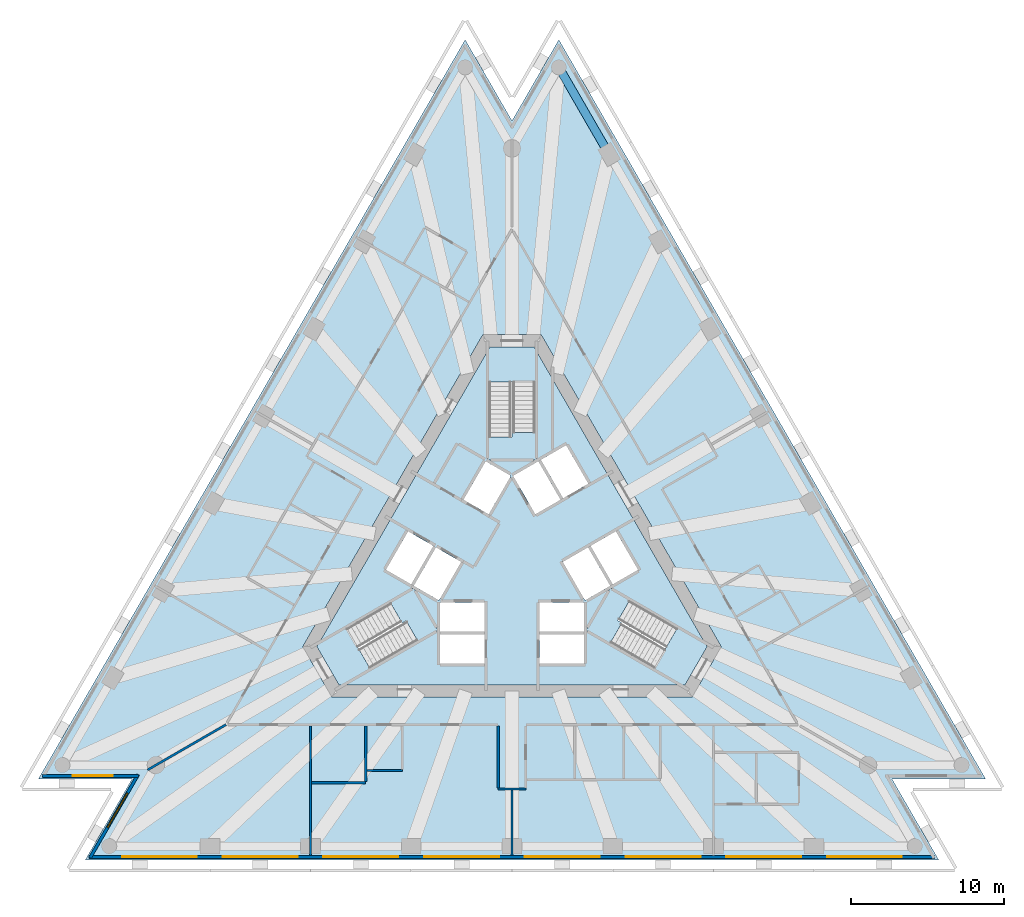
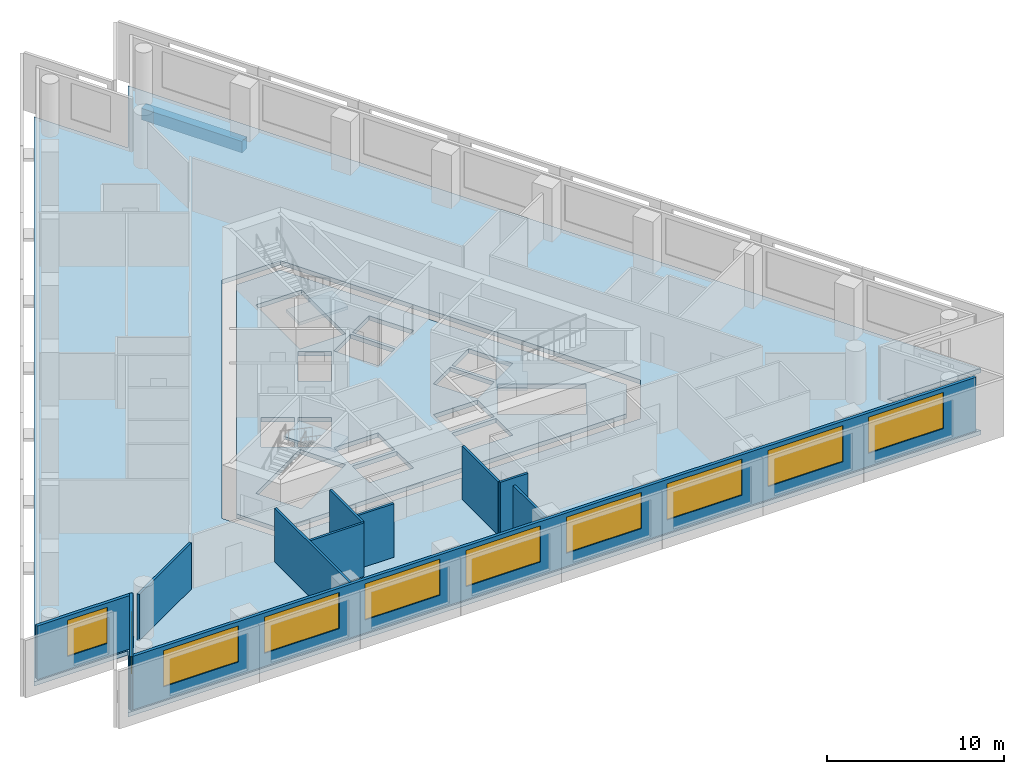
# One storey, part 2 of 10: 11 walls, 10 windows, 5 slabs, 1 beam, 10 openings, 3 elements without a shape of their own.
"""IFC4 building model written with IfcOpenShell, lengths in metres."""

import ifcopenshell
import ifcopenshell.guid

model = None  # the IFC model being written
_history = None  # IfcOwnerHistory: only IFC2X3 demands one
_inside = {}  # id of a spatial element -> (the spatial element, [elements in it])
_under = {}  # id of a project, library or spatial element -> (it, [spatial elements below it])
_declared = {}  # id of a project -> (the project, [libraries it declares])
_typed = {}  # id of a type object -> (the type object, [elements of that type])
_made_of = {}  # id of a material, layer set ... -> (it, [elements and type objects made of it])


def new_model(schema):
    """Start an empty IFC model of exactly this schema.

    Asked for "IFC4X3", IfcOpenShell would pick the latest addendum, in which some entities
    have other attributes; the version numbers below select the first issue.
    IFC2X3 requires an IfcOwnerHistory on every rooted entity: one is made here for all.
    """
    global model, _history
    if schema == "IFC4X3":
        model = ifcopenshell.file(schema_version=(4, 3, 0, 0))
    else:
        model = ifcopenshell.file(schema=schema)
    _inside.clear()
    _under.clear()
    _declared.clear()
    _typed.clear()
    _made_of.clear()
    _history = None
    if model.schema == "IFC2X3":
        org = make("IfcOrganization", Name="unknown")
        user = make(
            "IfcPersonAndOrganization",
            ThePerson=make("IfcPerson", FamilyName="unknown"),
            TheOrganization=org,
        )
        app = make(
            "IfcApplication",
            ApplicationDeveloper=org,
            Version="unknown",
            ApplicationFullName="unknown",
            ApplicationIdentifier="unknown",
        )
        _history = make(
            "IfcOwnerHistory",
            OwningUser=user,
            OwningApplication=app,
            ChangeAction="ADDED",
            CreationDate=0,
        )
    return model


def make(cls, **values):
    """One entity of the class cls with the attributes given. An attribute that is None is left unset."""
    return model.create_entity(
        cls, **{name: value for name, value in values.items() if value is not None}
    )


def rooted(cls, **values):
    """An entity with a GlobalId (a new one), such as an element, a storey or a relation."""
    return make(cls, GlobalId=ifcopenshell.guid.new(), OwnerHistory=_history, **values)


def si_unit(unit_type, name, prefix=None):
    """IfcSIUnit, for example si_unit("LENGTHUNIT", "METRE", prefix="MILLI")."""
    return make("IfcSIUnit", UnitType=unit_type, Prefix=prefix, Name=name)


def assignment(units):
    """IfcUnitAssignment: the units of a project."""
    return None if units is None else make("IfcUnitAssignment", Units=units)


def point(xyz):
    """IfcCartesianPoint."""
    return None if xyz is None else make("IfcCartesianPoint", Coordinates=xyz)


def direction(xyz):
    """IfcDirection."""
    return None if xyz is None else make("IfcDirection", DirectionRatios=xyz)


def frame(location, z_axis=None, x_axis=None):
    """IfcAxis2Placement3D, a coordinate frame: its origin and axes. An axis left out is left unset."""
    return make(
        "IfcAxis2Placement3D",
        Location=point(location),
        Axis=direction(z_axis),
        RefDirection=direction(x_axis),
    )


def frame_2d(location, x_axis=None):
    """IfcAxis2Placement2D, a coordinate frame in the plane: its origin and x axis."""
    return make(
        "IfcAxis2Placement2D", Location=point(location), RefDirection=direction(x_axis)
    )


def origin():
    """The frame at (0, 0, 0) with its axes left unset."""
    return frame((0.0, 0.0, 0.0))


def origin_2d():
    """The frame at (0, 0) in the plane with its x axis left unset."""
    return frame_2d((0.0, 0.0))


def place(relative_to, where):
    """IfcLocalPlacement: puts the frame where relative to a parent placement (None: the world)."""
    return make(
        "IfcLocalPlacement", PlacementRelTo=relative_to, RelativePlacement=where
    )


def context(
    kind, dimensions, precision=None, world=None, true_north=None, identifier=None
):
    """IfcGeometricRepresentationContext, for example the 3D "Model" context."""
    return make(
        "IfcGeometricRepresentationContext",
        ContextIdentifier=identifier,
        ContextType=kind,
        CoordinateSpaceDimension=dimensions,
        Precision=precision,
        WorldCoordinateSystem=world,
        TrueNorth=true_north,
    )


def subcontext(parent, identifier, kind, view, scale=None):
    """IfcGeometricRepresentationSubContext, for example "Body" below "Model"."""
    return make(
        "IfcGeometricRepresentationSubContext",
        ContextIdentifier=identifier,
        ContextType=kind,
        ParentContext=parent,
        TargetScale=scale,
        TargetView=view,
    )


def project(units=None, contexts=None):
    """IfcProject with its units and contexts."""
    return rooted(
        "IfcProject",
        Name="project",
        RepresentationContexts=contexts,
        UnitsInContext=assignment(units),
    )


def spatial(cls, under=None, at=None, **own):
    """A site, building, storey or space (cls), placed at a placement, below another one or the project."""
    s = rooted(cls, ObjectPlacement=at, **own)
    if under is not None:
        _under.setdefault(under.id(), (under, []))[1].append(s)
    return s


def polyline(points):
    """IfcPolyline through the points."""
    return make("IfcPolyline", Points=[point(p) for p in points])


def profile(cls, at=None, kind="AREA", **sizes):
    """A parametric profile (cls). Its sizes go by their IFC names, for example OverallWidth=200.0."""
    return make(cls, ProfileType=kind, Position=at, **sizes)


def rectangle(**sizes):
    """IfcRectangleProfileDef."""
    return profile("IfcRectangleProfileDef", **sizes)


def outline(outer, holes=None, kind="AREA"):
    """IfcArbitraryClosedProfileDef: a profile drawn as a closed curve; with holes, ...WithVoids."""
    if holes is None:
        return make("IfcArbitraryClosedProfileDef", ProfileType=kind, OuterCurve=outer)
    return make(
        "IfcArbitraryProfileDefWithVoids",
        ProfileType=kind,
        OuterCurve=outer,
        InnerCurves=holes,
    )


def extrude(swept, where, along, depth):
    """IfcExtrudedAreaSolid: the profile swept, set in the frame where, extruded along a direction by depth."""
    return make(
        "IfcExtrudedAreaSolid",
        SweptArea=swept,
        Position=where,
        ExtrudedDirection=direction(along),
        Depth=depth,
    )


def shape(context_of_items, identifier, shape_type, items):
    """IfcShapeRepresentation: the items that make up one representation, for example the "Body"."""
    return make(
        "IfcShapeRepresentation",
        ContextOfItems=context_of_items,
        RepresentationIdentifier=identifier,
        RepresentationType=shape_type,
        Items=items,
    )


def material(Name=None, Category=None):
    """IfcMaterial."""
    return make("IfcMaterial", Name=Name, Category=Category)


def layer(
    of_material, thickness, ventilated=None, Name=None, Category=None, Priority=None
):
    """IfcMaterialLayer: one layer of a wall or slab, of a material (None: an air gap)."""
    return make(
        "IfcMaterialLayer",
        Material=of_material,
        LayerThickness=thickness,
        IsVentilated=ventilated,
        Name=Name,
        Category=Category,
        Priority=Priority,
    )


def layer_set(layers, Name=None):
    """IfcMaterialLayerSet."""
    return make("IfcMaterialLayerSet", MaterialLayers=layers, LayerSetName=Name)


def layer_usage(for_layer_set, set_direction, sense, offset, extent=None):
    """IfcMaterialLayerSetUsage: how a layer set lies in its element."""
    return make(
        "IfcMaterialLayerSetUsage",
        ForLayerSet=for_layer_set,
        LayerSetDirection=set_direction,
        DirectionSense=sense,
        OffsetFromReferenceLine=offset,
        ReferenceExtent=extent,
    )


def material_profile(
    of_material, cross_section, Name=None, Category=None, Priority=None
):
    """IfcMaterialProfile: a cross section and its material."""
    return make(
        "IfcMaterialProfile",
        Name=Name,
        Material=of_material,
        Profile=cross_section,
        Priority=Priority,
        Category=Category,
    )


def profile_set(profiles, Name=None, composite=None):
    """IfcMaterialProfileSet."""
    return make(
        "IfcMaterialProfileSet",
        Name=Name,
        MaterialProfiles=profiles,
        CompositeProfile=composite,
    )


def made_of(thing, what):
    """Note that an element or type object is made of a material, layer set ...; save() writes the relation."""
    if what is not None:
        _made_of.setdefault(what.id(), (what, []))[1].append(thing)
    return thing


def type_object(cls, material=None, **own):
    """A type object (cls), such as IfcWallType, which elements share."""
    return made_of(rooted(cls, **own), material)


def element(
    cls,
    number,
    at=None,
    inside=None,
    cuts=None,
    type_object=None,
    material=None,
    context=None,
    identifier="Body",
    shape_type=None,
    held_by="IfcProductDefinitionShape",
    body=None,
    shapes=None,
    **own,
):
    """One element of the class cls, such as IfcWall. Its Tag is "e" and its number.

    at: its placement. inside: the storey or other place that contains it. cuts: it is an
    opening in that element (IfcRelVoidsElement). A single representation is given by context,
    identifier, shape_type and body (its items); several are given by shapes. held_by: the class
    of the entity that holds the representations. save() writes the other relations.
    """
    e = rooted(cls, Tag="e%d" % number, ObjectPlacement=at, **own)
    if body is not None:
        shapes = [shape(context, identifier, shape_type, body)]
    if shapes is not None:
        e.Representation = make(held_by, Representations=shapes)
    if inside is not None:
        _inside.setdefault(inside.id(), (inside, []))[1].append(e)
    if cuts is not None:
        rooted(
            "IfcRelVoidsElement", RelatingBuildingElement=cuts, RelatedOpeningElement=e
        )
    if type_object is not None:
        _typed.setdefault(type_object.id(), (type_object, []))[1].append(e)
    return made_of(e, material)


def fill(opening, filler):
    """IfcRelFillsElement: the door or window that sits in an opening."""
    return rooted(
        "IfcRelFillsElement",
        RelatingOpeningElement=opening,
        RelatedBuildingElement=filler,
    )


def aggregate(whole, parts):
    """IfcRelAggregates: a whole, such as a stair, and the parts it consists of."""
    return rooted("IfcRelAggregates", RelatingObject=whole, RelatedObjects=parts)


def save(model, path):
    """Write the relations noted so far, then the file.

    IfcRelAggregates (storeys below a building ...), IfcRelContainedInSpatialStructure (elements
    in a storey), IfcRelDefinesByType, IfcRelAssociatesMaterial and IfcRelDeclares: one each for
    every whole, place, type object, material and project.
    """
    for whole, parts in _under.values():
        aggregate(whole, parts)
    for where, things in _inside.values():
        rooted(
            "IfcRelContainedInSpatialStructure",
            RelatedElements=things,
            RelatingStructure=where,
        )
    for kind, things in _typed.values():
        rooted("IfcRelDefinesByType", RelatedObjects=things, RelatingType=kind)
    for what, things in _made_of.values():
        rooted("IfcRelAssociatesMaterial", RelatedObjects=things, RelatingMaterial=what)
    for by, libraries in _declared.values():
        rooted("IfcRelDeclares", RelatingContext=by, RelatedDefinitions=libraries)
    model.write(path)


model = new_model("IFC4")

# Units and contexts
model_context = context("Model", 3, precision=1e-05, world=origin(), true_north=direction((0.0, 1.0)))
body_context = subcontext(model_context, "Body", "Model", "MODEL_VIEW")
ifc_project = project(units=[si_unit("LENGTHUNIT", "METRE"), si_unit("AREAUNIT", "SQUARE_METRE"), si_unit("VOLUMEUNIT", "CUBIC_METRE"), si_unit("PLANEANGLEUNIT", "RADIAN"), si_unit("MASSUNIT", "GRAM", prefix="KILO")], contexts=[model_context])

# Site, building, storey
site_placement = place(None, origin())
site = spatial("IfcSite", under=ifc_project, at=site_placement, CompositionType="ELEMENT")
building_placement = place(site_placement, origin())
building = spatial("IfcBuilding", under=site, at=building_placement, Name="Triada Interchange Tower", CompositionType="ELEMENT")
storey_placement = place(building_placement, frame((0.0, 0.0, 160.300048828125)))
storey = spatial("IfcBuildingStorey", under=building, at=storey_placement, Name="L37", CompositionType="ELEMENT", Elevation=160.300048828125)

# Beam
ifc_material_1 = material(Name="Concrete C50/60", Category="concrete")
ifc_material_profile = material_profile(ifc_material_1, rectangle(XDim=0.550048828125, YDim=0.800048828125, at=origin_2d()), Name="RC 550x800")
ifc_profile_set = profile_set([ifc_material_profile], Name="Concrete C50/60")
beam_type = type_object("IfcBeamType", Name="Spandrel beam B RC 550x800", PredefinedType="BEAM", material=ifc_profile_set)
beam_placement = place(storey_placement, frame((6.35595703125, 26.48388671875, -0.699951171875), z_axis=(-0.499966313909, 0.866044851585, 0.0), x_axis=(-0.866044851585, -0.499966313909, 0.0)))
element("IfcBeam", 1, at=beam_placement, inside=storey, type_object=beam_type, Name="Spandrel beam EB28 L37", PredefinedType="BEAM", context=body_context, shape_type="SweptSolid", body=[
    extrude(rectangle(XDim=0.550048828125, YDim=0.800048828125, at=origin_2d()), origin(), (0.0, 0.0, 1.0), 6.58642578125),
])

# Slabs
ifc_layer_1 = layer(ifc_material_1, 0.300048828125)
ifc_layer_set_1 = layer_set([ifc_layer_1], Name="Floor slab 300")
slab_type_1 = type_object("IfcSlabType", Name="Floor slab 300", PredefinedType="FLOOR", material=ifc_layer_set_1)
slab_1_placement = place(storey_placement, frame((0.0, 0.0, -0.300048828125)))
element("IfcSlab", 2, at=slab_1_placement, inside=storey, type_object=slab_type_1, Name="Floor slab L37", PredefinedType="FLOOR", context=body_context, shape_type="SweptSolid", body=[
    extrude(outline(polyline([(-3.06298828125, 33.988037109375), (-30.965087890625, -14.342041015625), (-24.840087890625, -14.342041015625), (-27.903076171875, -19.64599609375), (27.903076171875, -19.64599609375), (24.840087890625, -14.342041015625), (30.965087890625, -14.342041015625), (3.06298828125, 33.988037109375), (0.0, 28.68310546875), (-3.06298828125, 33.988037109375)]), holes=[polyline([(1.905029296875, 14.699951171875), (-1.905029296875, 14.699951171875), (-13.68310546875, -5.699951171875), (-11.778076171875, -9.0), (11.778076171875, -9.0), (13.68310546875, -5.699951171875), (1.905029296875, 14.699951171875)])]), origin(), (0.0, 0.0, 1.0), 0.300048828125),
])
slab_2_placement = place(storey_placement, frame((0.0, 0.0, -0.300048828125)))
element("IfcSlab", 3, at=slab_2_placement, inside=storey, type_object=slab_type_1, Name="Core floor slab L37 1", PredefinedType="FLOOR", context=body_context, shape_type="SweptSolid", body=[
    extrude(outline(polyline([(12.759033203125, -5.699951171875), (11.31591796875, -8.199951171875), (-11.31591796875, -8.199951171875), (-12.759033203125, -5.699951171875), (-1.443115234375, 13.89990234375), (1.443115234375, 13.89990234375), (12.759033203125, -5.699951171875)]), holes=[polyline([(9.2958984375, -7.09912109375), (10.7958984375, -4.5009765625), (6.466064453125, -2.0009765625), (4.966064453125, -4.59912109375), (9.2958984375, -7.09912109375)]), polyline([(6.7890625, 1.841064453125), (5.14404296875, 0.89111328125), (6.593994140625, -1.6201171875), (8.239013671875, -0.669921875), (6.7890625, 1.841064453125)]), polyline([(4.77490234375, -2.669921875), (6.419921875, -1.719970703125), (4.969970703125, 0.791015625), (3.9150390625, 0.181884765625), (3.324951171875, -0.158935546875), (4.77490234375, -2.669921875)]), polyline([(1.89404296875, 6.52001953125), (3.343994140625, 4.009033203125), (4.989013671875, 4.958984375), (3.5390625, 7.469970703125), (1.89404296875, 6.52001953125)]), polyline([(4.699951171875, -6.800048828125), (4.699951171875, -4.89990234375), (1.800048828125, -4.89990234375), (1.800048828125, -6.800048828125), (4.699951171875, -6.800048828125)]), polyline([(4.699951171875, -2.800048828125), (1.800048828125, -2.800048828125), (1.800048828125, -4.699951171875), (4.699951171875, -4.699951171875), (4.699951171875, -2.800048828125)]), polyline([(0.074951171875, 5.469970703125), (1.52490234375, 2.958984375), (3.169921875, 3.908935546875), (1.719970703125, 6.419921875), (0.074951171875, 5.469970703125)]), polyline([(1.5, 11.60009765625), (-1.5, 11.60009765625), (-1.5, 6.60009765625), (1.5, 6.60009765625), (1.5, 11.60009765625)]), polyline([(-1.52490234375, 2.958984375), (-0.074951171875, 5.469970703125), (-1.719970703125, 6.419921875), (-3.169921875, 3.908935546875), (-1.52490234375, 2.958984375)]), polyline([(-1.800048828125, -2.800048828125), (-4.699951171875, -2.800048828125), (-4.699951171875, -4.699951171875), (-1.800048828125, -4.699951171875), (-1.800048828125, -2.800048828125)]), polyline([(-4.699951171875, -6.800048828125), (-1.800048828125, -6.800048828125), (-1.800048828125, -4.89990234375), (-4.699951171875, -4.89990234375), (-4.699951171875, -6.800048828125)]), polyline([(-4.77490234375, -2.669921875), (-3.324951171875, -0.158935546875), (-4.969970703125, 0.791015625), (-6.419921875, -1.719970703125), (-4.77490234375, -2.669921875)]), polyline([(-10.7958984375, -4.5009765625), (-9.2958984375, -7.09912109375), (-4.966064453125, -4.59912109375), (-6.466064453125, -2.0009765625), (-10.7958984375, -4.5009765625)]), polyline([(-6.593994140625, -1.6201171875), (-5.14404296875, 0.89111328125), (-6.7890625, 1.841064453125), (-8.239013671875, -0.669921875), (-6.593994140625, -1.6201171875)])]), origin(), (0.0, 0.0, 1.0), 0.300048828125),
])

# Stair, slab
ifc_material_2 = material(Name="Concrete C35/45", Category="concrete")
stair_type = type_object("IfcStairType", Name="HALF TURN STAIR 1400", PredefinedType="HALF_TURN_STAIR", material=ifc_material_2)
stair_1_placement = place(storey_placement, origin())
stair_1 = element("IfcStair", 4, at=stair_1_placement, inside=storey, type_object=stair_type, Name="Exit stair S35-1", PredefinedType="HALF_TURN_STAIR")
ifc_layer_2 = layer(ifc_material_2, 0.199951171875)
ifc_layer_set_2 = layer_set([ifc_layer_2], Name="STAIR LANDING 200")
slab_type_2 = type_object("IfcSlabType", Name="STAIR LANDING 200", PredefinedType="LANDING", material=ifc_layer_set_2)
slab_3_placement = place(storey_placement, frame((0.0, 0.0, 1.719970703125)))
slab_3 = element("IfcSlab", 5, at=slab_3_placement, type_object=slab_type_2, Name="S35-1 landing 1", PredefinedType="LANDING", context=body_context, shape_type="SweptSolid", body=[
    extrude(outline(polyline([(1.60009765625, 6.5), (1.60009765625, 8.300048828125), (0.0, 8.300048828125), (0.0, 8.0), (-1.60009765625, 8.0), (-1.60009765625, 6.5), (1.60009765625, 6.5)])), origin(), (0.0, 0.0, 1.0), 0.199951171875),
])
aggregate(stair_1, [slab_3])

stair_2_placement = place(storey_placement, origin())
stair_2 = element("IfcStair", 6, at=stair_2_placement, inside=storey, type_object=stair_type, Name="Exit stair S35-2", PredefinedType="HALF_TURN_STAIR")
slab_4_placement = place(storey_placement, frame((0.0, 0.0, 1.719970703125)))
slab_4 = element("IfcSlab", 7, at=slab_4_placement, type_object=slab_type_2, Name="S35-2 landing 1", PredefinedType="LANDING", context=body_context, shape_type="SweptSolid", body=[
    extrude(outline(polyline([(-6.428955078125, -1.864013671875), (-7.988037109375, -2.763916015625), (-7.18798828125, -4.14990234375), (-6.927978515625, -4.0), (-6.1279296875, -5.385986328125), (-4.8291015625, -4.635986328125), (-6.428955078125, -1.864013671875)])), origin(), (0.0, 0.0, 1.0), 0.199951171875),
])
aggregate(stair_2, [slab_4])

stair_3_placement = place(storey_placement, origin())
stair_3 = element("IfcStair", 8, at=stair_3_placement, inside=storey, type_object=stair_type, Name="Exit stair S35-3", PredefinedType="HALF_TURN_STAIR")
slab_5_placement = place(storey_placement, frame((0.0, 0.0, 1.719970703125)))
slab_5 = element("IfcSlab", 9, at=slab_5_placement, type_object=slab_type_2, Name="S35-3 landing 1", PredefinedType="LANDING", context=body_context, shape_type="SweptSolid", body=[
    extrude(outline(polyline([(4.8291015625, -4.635986328125), (6.387939453125, -5.535888671875), (7.18798828125, -4.14990234375), (6.927978515625, -4.0), (7.72802734375, -2.614013671875), (6.428955078125, -1.864013671875), (4.8291015625, -4.635986328125)])), origin(), (0.0, 0.0, 1.0), 0.199951171875),
])
aggregate(stair_3, [slab_5])

# Wall, opening, window
ifc_material_3 = material(Name="Cement board")
ifc_layer_3 = layer(ifc_material_3, 0.02001953125, Name="Cement board cladding")
ifc_material_4 = material(Name="Sheathing board")
ifc_layer_4 = layer(ifc_material_4, 0.014892578125, Name="Sheathing board")
ifc_material_5 = material(Name="Mineral wool")
ifc_layer_5 = layer(ifc_material_5, 0.14990234375, Name="Mineral wool between steel studs")
ifc_material_6 = material(Name="Gypsum board")
ifc_layer_6 = layer(ifc_material_6, 0.014892578125, Name="Plasterboard lining")
ifc_layer_set_3 = layer_set([ifc_layer_3, ifc_layer_4, ifc_layer_5, ifc_layer_6], Name="External wall 200")
ifc_layer_usage = layer_usage(ifc_layer_set_3, "AXIS2", "POSITIVE", -0.10009765625)
wall_type_1 = type_object("IfcWallType", Name="External wall 200", PredefinedType="ELEMENTEDWALL", material=ifc_layer_set_3)
wall_1_placement = place(storey_placement, frame((-30.708984375, -14.14208984375, 0.0), z_axis=(0.0, 0.0, 1.0), x_axis=(1.0, 0.0, 0.0)))
wall_1 = element("IfcWall", 10, at=wall_1_placement, inside=storey, type_object=wall_type_1, material=ifc_layer_usage, Name="External wall L37 SW-1", PredefinedType="ELEMENTEDWALL", context=body_context, shape_type="SweptSolid", body=[
    extrude(rectangle(XDim=6.284912109375, YDim=0.199951171875, at=frame_2d((3.142578125, 0.0))), origin(), (0.0, 0.0, 1.0), 3.699951171875),
])
opening_1_placement = place(wall_1_placement, frame((1.989990234375, 0.0, 0.89990234375)))
opening_1 = element("IfcOpeningElement", 11, at=opening_1_placement, cuts=wall_1, Name="Opening WB09", PredefinedType="OPENING", context=body_context, shape_type="SweptSolid", body=[
    extrude(rectangle(XDim=2.60009765625, YDim=2.5, at=frame_2d((1.300048828125, 1.25))), frame((0.0, 0.10986328125, 0.0), z_axis=(0.0, -1.0, 0.0), x_axis=(1.0, 0.0, 0.0)), (0.0, 0.0, 1.0), 0.219970703125),
])
ifc_material_7 = material(Name="Double glazed aluminium window", Category="aluminium")
window_type_1 = type_object("IfcWindowType", Name="Ribbon window B pocket", PartitioningType="SINGLE_PANEL", PredefinedType="WINDOW", material=ifc_material_7)
window_1_placement = place(opening_1_placement, origin())
window_1 = element("IfcWindow", 12, at=window_1_placement, inside=storey, type_object=window_type_1, Name="Window L37 SW-1 1", OverallHeight=2.5, OverallWidth=2.60009765625, PartitioningType="SINGLE_PANEL", PredefinedType="WINDOW", context=body_context, shape_type="SweptSolid", body=[
    extrude(rectangle(XDim=2.60009765625, YDim=2.5, at=frame_2d((1.300048828125, 1.25))), frame((0.0, 0.030029296875, 0.0), z_axis=(0.0, -1.0, 0.0), x_axis=(1.0, 0.0, 0.0)), (0.0, 0.0, 1.0), 0.06005859375),
])
fill(opening_1, window_1)

wall_2_placement = place(storey_placement, frame((-24.448974609375, -14.06396484375, 0.0), z_axis=(0.0, 0.0, 1.0), x_axis=(-0.500057556061, -0.865992171227, 0.0)))
wall_2 = element("IfcWall", 13, at=wall_2_placement, inside=storey, type_object=wall_type_1, material=ifc_layer_usage, Name="External wall L37 SW-2", PredefinedType="ELEMENTEDWALL", context=body_context, shape_type="SweptSolid", body=[
    extrude(rectangle(XDim=6.285400390625, YDim=0.199951171875, at=frame_2d((3.142578125, 0.0))), origin(), (0.0, 0.0, 1.0), 3.699951171875),
])
opening_2_placement = place(wall_2_placement, frame((1.389892578125, 0.0, 0.89990234375)))
opening_2 = element("IfcOpeningElement", 14, at=opening_2_placement, cuts=wall_2, Name="Opening WB10", PredefinedType="OPENING", context=body_context, shape_type="SweptSolid", body=[
    extrude(rectangle(XDim=2.60009765625, YDim=2.5, at=frame_2d((1.300048828125, 1.25))), frame((0.0, 0.10986328125, 0.0), z_axis=(0.0, -1.0, 0.0), x_axis=(1.0, 0.0, 0.0)), (0.0, 0.0, 1.0), 0.219970703125),
])
window_2_placement = place(opening_2_placement, origin())
window_2 = element("IfcWindow", 15, at=window_2_placement, inside=storey, type_object=window_type_1, Name="Window L37 SW-2 1", OverallHeight=2.5, OverallWidth=2.60009765625, PartitioningType="SINGLE_PANEL", PredefinedType="WINDOW", context=body_context, shape_type="SweptSolid", body=[
    extrude(rectangle(XDim=2.60009765625, YDim=2.5, at=frame_2d((1.300048828125, 1.25))), frame((0.0, 0.030029296875, 0.0), z_axis=(0.0, -1.0, 0.0), x_axis=(1.0, 0.0, 0.0)), (0.0, 0.0, 1.0), 0.06005859375),
])
fill(opening_2, window_2)

# Wall, openings, windows
wall_3_placement = place(storey_placement, frame((-27.64697265625, -19.446044921875, 0.0), z_axis=(0.0, 0.0, 1.0), x_axis=(1.0, 0.0, 0.0)))
wall_3 = element("IfcWall", 16, at=wall_3_placement, inside=storey, type_object=wall_type_1, material=ifc_layer_usage, Name="External wall L37 S", PredefinedType="ELEMENTEDWALL", context=body_context, shape_type="SweptSolid", body=[
    extrude(rectangle(XDim=55.27392578125, YDim=0.199951171875, at=frame_2d((27.636962890625, 0.0))), origin(), (0.0, 0.0, 1.0), 3.699951171875),
])
opening_3_placement = place(wall_3_placement, frame((2.14599609375, 0.0, 0.89990234375)))
opening_3 = element("IfcOpeningElement", 17, at=opening_3_placement, cuts=wall_3, Name="Opening WB11", PredefinedType="OPENING", context=body_context, shape_type="SweptSolid", body=[
    extrude(rectangle(XDim=4.89990234375, YDim=2.5, at=frame_2d((2.449951171875, 1.25))), frame((0.0, 0.10986328125, 0.0), z_axis=(0.0, -1.0, 0.0), x_axis=(1.0, 0.0, 0.0)), (0.0, 0.0, 1.0), 0.219970703125),
])
opening_4_placement = place(wall_3_placement, frame((8.73193359375, 0.0, 0.89990234375)))
opening_4 = element("IfcOpeningElement", 18, at=opening_4_placement, cuts=wall_3, Name="Opening WB12", PredefinedType="OPENING", context=body_context, shape_type="SweptSolid", body=[
    extrude(rectangle(XDim=4.89990234375, YDim=2.5, at=frame_2d((2.449951171875, 1.25))), frame((0.0, 0.10986328125, 0.0), z_axis=(0.0, -1.0, 0.0), x_axis=(1.0, 0.0, 0.0)), (0.0, 0.0, 1.0), 0.219970703125),
])
opening_5_placement = place(wall_3_placement, frame((15.318115234375, 0.0, 0.89990234375)))
opening_5 = element("IfcOpeningElement", 19, at=opening_5_placement, cuts=wall_3, Name="Opening WB13", PredefinedType="OPENING", context=body_context, shape_type="SweptSolid", body=[
    extrude(rectangle(XDim=4.89990234375, YDim=2.5, at=frame_2d((2.449951171875, 1.25))), frame((0.0, 0.10986328125, 0.0), z_axis=(0.0, -1.0, 0.0), x_axis=(1.0, 0.0, 0.0)), (0.0, 0.0, 1.0), 0.219970703125),
])
opening_6_placement = place(wall_3_placement, frame((21.904052734375, 0.0, 0.89990234375)))
opening_6 = element("IfcOpeningElement", 20, at=opening_6_placement, cuts=wall_3, Name="Opening WB14", PredefinedType="OPENING", context=body_context, shape_type="SweptSolid", body=[
    extrude(rectangle(XDim=4.89990234375, YDim=2.5, at=frame_2d((2.449951171875, 1.25))), frame((0.0, 0.10986328125, 0.0), z_axis=(0.0, -1.0, 0.0), x_axis=(1.0, 0.0, 0.0)), (0.0, 0.0, 1.0), 0.219970703125),
])
opening_7_placement = place(wall_3_placement, frame((28.489990234375, 0.0, 0.89990234375)))
opening_7 = element("IfcOpeningElement", 21, at=opening_7_placement, cuts=wall_3, Name="Opening WB15", PredefinedType="OPENING", context=body_context, shape_type="SweptSolid", body=[
    extrude(rectangle(XDim=4.89990234375, YDim=2.5, at=frame_2d((2.449951171875, 1.25))), frame((0.0, 0.10986328125, 0.0), z_axis=(0.0, -1.0, 0.0), x_axis=(1.0, 0.0, 0.0)), (0.0, 0.0, 1.0), 0.219970703125),
])
opening_8_placement = place(wall_3_placement, frame((35.075927734375, 0.0, 0.89990234375)))
opening_8 = element("IfcOpeningElement", 22, at=opening_8_placement, cuts=wall_3, Name="Opening WB16", PredefinedType="OPENING", context=body_context, shape_type="SweptSolid", body=[
    extrude(rectangle(XDim=4.89990234375, YDim=2.5, at=frame_2d((2.449951171875, 1.25))), frame((0.0, 0.10986328125, 0.0), z_axis=(0.0, -1.0, 0.0), x_axis=(1.0, 0.0, 0.0)), (0.0, 0.0, 1.0), 0.219970703125),
])
opening_9_placement = place(wall_3_placement, frame((41.662109375, 0.0, 0.89990234375)))
opening_9 = element("IfcOpeningElement", 23, at=opening_9_placement, cuts=wall_3, Name="Opening WB17", PredefinedType="OPENING", context=body_context, shape_type="SweptSolid", body=[
    extrude(rectangle(XDim=4.89990234375, YDim=2.5, at=frame_2d((2.449951171875, 1.25))), frame((0.0, 0.10986328125, 0.0), z_axis=(0.0, -1.0, 0.0), x_axis=(1.0, 0.0, 0.0)), (0.0, 0.0, 1.0), 0.219970703125),
])
opening_10_placement = place(wall_3_placement, frame((48.248046875, 0.0, 0.89990234375)))
opening_10 = element("IfcOpeningElement", 24, at=opening_10_placement, cuts=wall_3, Name="Opening WB18", PredefinedType="OPENING", context=body_context, shape_type="SweptSolid", body=[
    extrude(rectangle(XDim=4.89990234375, YDim=2.5, at=frame_2d((2.449951171875, 1.25))), frame((0.0, 0.10986328125, 0.0), z_axis=(0.0, -1.0, 0.0), x_axis=(1.0, 0.0, 0.0)), (0.0, 0.0, 1.0), 0.219970703125),
])
window_type_2 = type_object("IfcWindowType", Name="Ribbon window B face", PartitioningType="SINGLE_PANEL", PredefinedType="WINDOW", material=ifc_material_7)
window_3_placement = place(opening_3_placement, origin())
window_3 = element("IfcWindow", 25, at=window_3_placement, inside=storey, type_object=window_type_2, Name="Window L37 S 1", OverallHeight=2.5, OverallWidth=4.89990234375, PartitioningType="SINGLE_PANEL", PredefinedType="WINDOW", context=body_context, shape_type="SweptSolid", body=[
    extrude(rectangle(XDim=4.89990234375, YDim=2.5, at=frame_2d((2.449951171875, 1.25))), frame((0.0, 0.030029296875, 0.0), z_axis=(0.0, -1.0, 0.0), x_axis=(1.0, 0.0, 0.0)), (0.0, 0.0, 1.0), 0.06005859375),
])
fill(opening_3, window_3)
window_4_placement = place(opening_4_placement, origin())
window_4 = element("IfcWindow", 26, at=window_4_placement, inside=storey, type_object=window_type_2, Name="Window L37 S 2", OverallHeight=2.5, OverallWidth=4.89990234375, PartitioningType="SINGLE_PANEL", PredefinedType="WINDOW", context=body_context, shape_type="SweptSolid", body=[
    extrude(rectangle(XDim=4.89990234375, YDim=2.5, at=frame_2d((2.449951171875, 1.25))), frame((0.0, 0.030029296875, 0.0), z_axis=(0.0, -1.0, 0.0), x_axis=(1.0, 0.0, 0.0)), (0.0, 0.0, 1.0), 0.06005859375),
])
fill(opening_4, window_4)
window_5_placement = place(opening_5_placement, origin())
window_5 = element("IfcWindow", 27, at=window_5_placement, inside=storey, type_object=window_type_2, Name="Window L37 S 3", OverallHeight=2.5, OverallWidth=4.89990234375, PartitioningType="SINGLE_PANEL", PredefinedType="WINDOW", context=body_context, shape_type="SweptSolid", body=[
    extrude(rectangle(XDim=4.89990234375, YDim=2.5, at=frame_2d((2.449951171875, 1.25))), frame((0.0, 0.030029296875, 0.0), z_axis=(0.0, -1.0, 0.0), x_axis=(1.0, 0.0, 0.0)), (0.0, 0.0, 1.0), 0.06005859375),
])
fill(opening_5, window_5)
window_6_placement = place(opening_6_placement, origin())
window_6 = element("IfcWindow", 28, at=window_6_placement, inside=storey, type_object=window_type_2, Name="Window L37 S 4", OverallHeight=2.5, OverallWidth=4.89990234375, PartitioningType="SINGLE_PANEL", PredefinedType="WINDOW", context=body_context, shape_type="SweptSolid", body=[
    extrude(rectangle(XDim=4.89990234375, YDim=2.5, at=frame_2d((2.449951171875, 1.25))), frame((0.0, 0.030029296875, 0.0), z_axis=(0.0, -1.0, 0.0), x_axis=(1.0, 0.0, 0.0)), (0.0, 0.0, 1.0), 0.06005859375),
])
fill(opening_6, window_6)
window_7_placement = place(opening_7_placement, origin())
window_7 = element("IfcWindow", 29, at=window_7_placement, inside=storey, type_object=window_type_2, Name="Window L37 S 5", OverallHeight=2.5, OverallWidth=4.89990234375, PartitioningType="SINGLE_PANEL", PredefinedType="WINDOW", context=body_context, shape_type="SweptSolid", body=[
    extrude(rectangle(XDim=4.89990234375, YDim=2.5, at=frame_2d((2.449951171875, 1.25))), frame((0.0, 0.030029296875, 0.0), z_axis=(0.0, -1.0, 0.0), x_axis=(1.0, 0.0, 0.0)), (0.0, 0.0, 1.0), 0.06005859375),
])
fill(opening_7, window_7)
window_8_placement = place(opening_8_placement, origin())
window_8 = element("IfcWindow", 30, at=window_8_placement, inside=storey, type_object=window_type_2, Name="Window L37 S 6", OverallHeight=2.5, OverallWidth=4.89990234375, PartitioningType="SINGLE_PANEL", PredefinedType="WINDOW", context=body_context, shape_type="SweptSolid", body=[
    extrude(rectangle(XDim=4.89990234375, YDim=2.5, at=frame_2d((2.449951171875, 1.25))), frame((0.0, 0.030029296875, 0.0), z_axis=(0.0, -1.0, 0.0), x_axis=(1.0, 0.0, 0.0)), (0.0, 0.0, 1.0), 0.06005859375),
])
fill(opening_8, window_8)
window_9_placement = place(opening_9_placement, origin())
window_9 = element("IfcWindow", 31, at=window_9_placement, inside=storey, type_object=window_type_2, Name="Window L37 S 7", OverallHeight=2.5, OverallWidth=4.89990234375, PartitioningType="SINGLE_PANEL", PredefinedType="WINDOW", context=body_context, shape_type="SweptSolid", body=[
    extrude(rectangle(XDim=4.89990234375, YDim=2.5, at=frame_2d((2.449951171875, 1.25))), frame((0.0, 0.030029296875, 0.0), z_axis=(0.0, -1.0, 0.0), x_axis=(1.0, 0.0, 0.0)), (0.0, 0.0, 1.0), 0.06005859375),
])
fill(opening_9, window_9)
window_10_placement = place(opening_10_placement, origin())
window_10 = element("IfcWindow", 32, at=window_10_placement, inside=storey, type_object=window_type_2, Name="Window L37 S 8", OverallHeight=2.5, OverallWidth=4.89990234375, PartitioningType="SINGLE_PANEL", PredefinedType="WINDOW", context=body_context, shape_type="SweptSolid", body=[
    extrude(rectangle(XDim=4.89990234375, YDim=2.5, at=frame_2d((2.449951171875, 1.25))), frame((0.0, 0.030029296875, 0.0), z_axis=(0.0, -1.0, 0.0), x_axis=(1.0, 0.0, 0.0)), (0.0, 0.0, 1.0), 0.06005859375),
])
fill(opening_10, window_10)

# Walls
ifc_material_8 = material(Name="Gypsum board partition")
ifc_layer_7 = layer(ifc_material_8, 0.14990234375)
ifc_layer_set_4 = layer_set([ifc_layer_7], Name="PARTITION 150 EI 180")
wall_type_2 = type_object("IfcWallType", Name="PARTITION 150 EI 180", PredefinedType="PARTITIONING", material=ifc_layer_set_4)
wall_4_placement = place(storey_placement, frame((-23.818115234375, -13.751953125, 0.0), z_axis=(0.0, 0.0, 1.0), x_axis=(0.8659920435, 0.500057777256, 0.0)))
element("IfcWall", 33, at=wall_4_placement, inside=storey, type_object=wall_type_2, Name="Wall L35 1", PredefinedType="PARTITIONING", context=body_context, shape_type="SweptSolid", body=[
    extrude(rectangle(XDim=5.903076171875, YDim=0.14990234375, at=frame_2d((2.95166015625, 0.0))), origin(), (0.0, 0.0, 1.0), 3.199951171875),
])
wall_5_placement = place(storey_placement, frame((-13.172119140625, -19.365966796875, 0.0), z_axis=(0.0, 0.0, 1.0), x_axis=(0.0, 1.0, 0.0)))
element("IfcWall", 34, at=wall_5_placement, inside=storey, type_object=wall_type_2, Name="Wall L35 14", PredefinedType="PARTITIONING", context=body_context, shape_type="SweptSolid", body=[
    extrude(rectangle(XDim=8.490966796875, YDim=0.14990234375, at=frame_2d((4.24560546875, 0.0))), origin(), (0.0, 0.0, 1.0), 3.699951171875),
])
wall_6_placement = place(storey_placement, frame((-13.096923828125, -14.60009765625, 0.0), z_axis=(0.0, 0.0, 1.0), x_axis=(1.0, 0.0, 0.0)))
element("IfcWall", 35, at=wall_6_placement, inside=storey, type_object=wall_type_2, Name="Wall L35 15", PredefinedType="PARTITIONING", context=body_context, shape_type="SweptSolid", body=[
    extrude(rectangle(XDim=3.52490234375, YDim=0.14990234375, at=frame_2d((1.762451171875, 0.0))), origin(), (0.0, 0.0, 1.0), 3.699951171875),
])
wall_7_placement = place(storey_placement, frame((-9.572021484375, -14.52490234375, 0.0), z_axis=(0.0, 0.0, 1.0), x_axis=(0.0, 1.0, 0.0)))
element("IfcWall", 36, at=wall_7_placement, inside=storey, type_object=wall_type_2, Name="Wall L35 16", PredefinedType="PARTITIONING", context=body_context, shape_type="SweptSolid", body=[
    extrude(rectangle(XDim=3.64990234375, YDim=0.14990234375, at=frame_2d((1.824951171875, 0.0))), origin(), (0.0, 0.0, 1.0), 3.699951171875),
])
wall_8_placement = place(storey_placement, frame((-9.4970703125, -13.800048828125, 0.0), z_axis=(0.0, 0.0, 1.0), x_axis=(1.0, 0.0, 0.0)))
element("IfcWall", 37, at=wall_8_placement, inside=storey, type_object=wall_type_2, Name="Wall L35 21", PredefinedType="PARTITIONING", context=body_context, shape_type="SweptSolid", body=[
    extrude(rectangle(XDim=2.324951171875, YDim=0.14990234375, at=frame_2d((1.16259765625, 0.0))), origin(), (0.0, 0.0, 1.0), 3.699951171875),
])
wall_9_placement = place(storey_placement, frame((-0.89990234375, -15.0, 0.0), z_axis=(0.0, 0.0, 1.0), x_axis=(1.0, 0.0, 0.0)))
element("IfcWall", 38, at=wall_9_placement, inside=storey, type_object=wall_type_2, Name="Wall L35 23", PredefinedType="PARTITIONING", context=body_context, shape_type="SweptSolid", body=[
    extrude(rectangle(XDim=1.7998046875, YDim=0.14990234375, at=frame_2d((0.89990234375, 0.0))), origin(), (0.0, 0.0, 1.0), 3.699951171875),
])
wall_10_placement = place(storey_placement, frame((-0.89990234375, -14.925048828125, 0.0), z_axis=(0.0, 0.0, 1.0), x_axis=(0.0, 1.0, 0.0)))
element("IfcWall", 39, at=wall_10_placement, inside=storey, type_object=wall_type_2, Name="Wall L35 24", PredefinedType="PARTITIONING", context=body_context, shape_type="SweptSolid", body=[
    extrude(rectangle(XDim=4.049072265625, YDim=0.14990234375, at=frame_2d((2.0244140625, 0.0))), origin(), (0.0, 0.0, 1.0), 3.699951171875),
])
wall_11_placement = place(storey_placement, frame((0.0, -19.365966796875, 0.0), z_axis=(0.0, 0.0, 1.0), x_axis=(0.0, 1.0, 0.0)))
element("IfcWall", 40, at=wall_11_placement, inside=storey, type_object=wall_type_2, Name="Wall L35 25", PredefinedType="PARTITIONING", context=body_context, shape_type="SweptSolid", body=[
    extrude(rectangle(XDim=4.291015625, YDim=0.14990234375, at=frame_2d((2.1455078125, 0.0))), origin(), (0.0, 0.0, 1.0), 3.199951171875),
])

save(model, "model.ifc")
